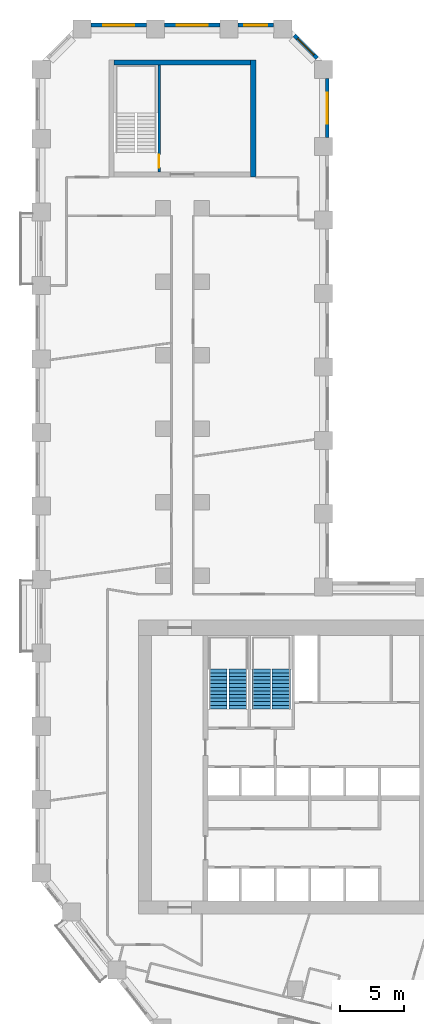
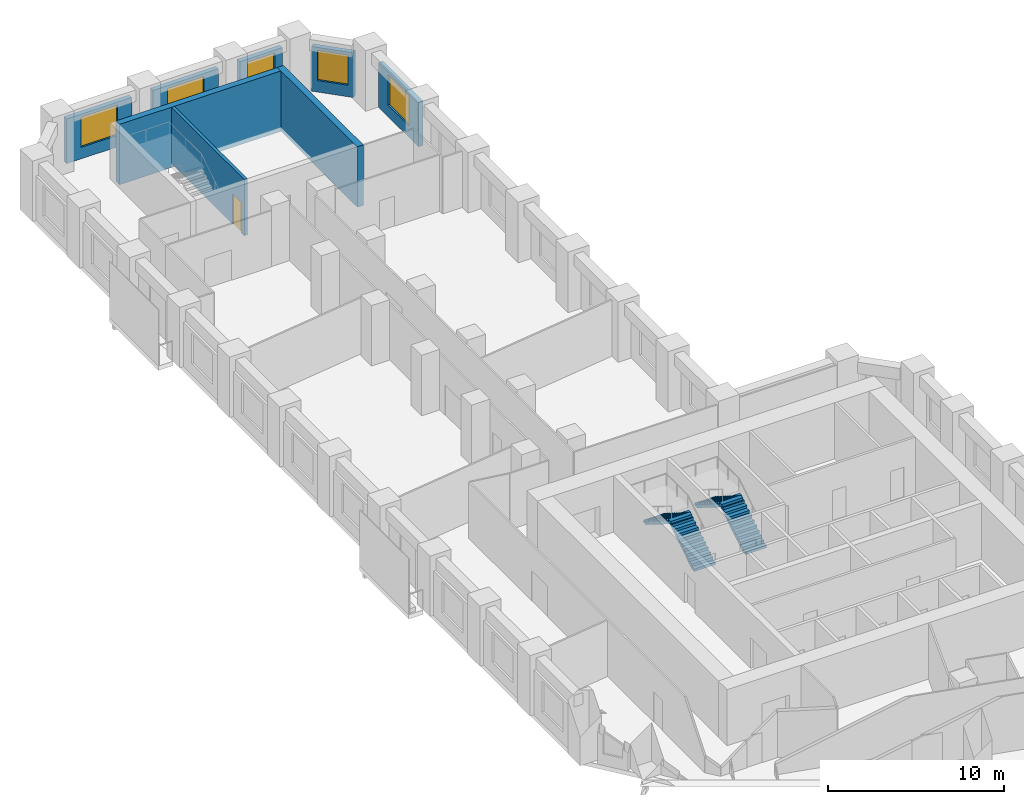
# One storey, part 10 of 12: 8 walls, 5 windows, 4 stair flights, 1 door, 6 openings, 2 elements without a shape of their own.
"""IFC4 building model written with IfcOpenShell, lengths in metres."""

import ifcopenshell
import ifcopenshell.guid

model = None  # the IFC model being written
_history = None  # IfcOwnerHistory: only IFC2X3 demands one
_inside = {}  # id of a spatial element -> (the spatial element, [elements in it])
_under = {}  # id of a project, library or spatial element -> (it, [spatial elements below it])
_declared = {}  # id of a project -> (the project, [libraries it declares])
_typed = {}  # id of a type object -> (the type object, [elements of that type])
_made_of = {}  # id of a material, layer set ... -> (it, [elements and type objects made of it])


def new_model(schema):
    """Start an empty IFC model of exactly this schema.

    Asked for "IFC4X3", IfcOpenShell would pick the latest addendum, in which some entities
    have other attributes; the version numbers below select the first issue.
    IFC2X3 requires an IfcOwnerHistory on every rooted entity: one is made here for all.
    """
    global model, _history
    if schema == "IFC4X3":
        model = ifcopenshell.file(schema_version=(4, 3, 0, 0))
    else:
        model = ifcopenshell.file(schema=schema)
    _inside.clear()
    _under.clear()
    _declared.clear()
    _typed.clear()
    _made_of.clear()
    _history = None
    if model.schema == "IFC2X3":
        org = make("IfcOrganization", Name="unknown")
        user = make(
            "IfcPersonAndOrganization",
            ThePerson=make("IfcPerson", FamilyName="unknown"),
            TheOrganization=org,
        )
        app = make(
            "IfcApplication",
            ApplicationDeveloper=org,
            Version="unknown",
            ApplicationFullName="unknown",
            ApplicationIdentifier="unknown",
        )
        _history = make(
            "IfcOwnerHistory",
            OwningUser=user,
            OwningApplication=app,
            ChangeAction="ADDED",
            CreationDate=0,
        )
    return model


def make(cls, **values):
    """One entity of the class cls with the attributes given. An attribute that is None is left unset."""
    return model.create_entity(
        cls, **{name: value for name, value in values.items() if value is not None}
    )


def rooted(cls, **values):
    """An entity with a GlobalId (a new one), such as an element, a storey or a relation."""
    return make(cls, GlobalId=ifcopenshell.guid.new(), OwnerHistory=_history, **values)


def si_unit(unit_type, name, prefix=None):
    """IfcSIUnit, for example si_unit("LENGTHUNIT", "METRE", prefix="MILLI")."""
    return make("IfcSIUnit", UnitType=unit_type, Prefix=prefix, Name=name)


def assignment(units):
    """IfcUnitAssignment: the units of a project."""
    return None if units is None else make("IfcUnitAssignment", Units=units)


def point(xyz):
    """IfcCartesianPoint."""
    return None if xyz is None else make("IfcCartesianPoint", Coordinates=xyz)


def direction(xyz):
    """IfcDirection."""
    return None if xyz is None else make("IfcDirection", DirectionRatios=xyz)


def frame(location, z_axis=None, x_axis=None):
    """IfcAxis2Placement3D, a coordinate frame: its origin and axes. An axis left out is left unset."""
    return make(
        "IfcAxis2Placement3D",
        Location=point(location),
        Axis=direction(z_axis),
        RefDirection=direction(x_axis),
    )


def frame_2d(location, x_axis=None):
    """IfcAxis2Placement2D, a coordinate frame in the plane: its origin and x axis."""
    return make(
        "IfcAxis2Placement2D", Location=point(location), RefDirection=direction(x_axis)
    )


def origin():
    """The frame at (0, 0, 0) with its axes left unset."""
    return frame((0.0, 0.0, 0.0))


def place(relative_to, where):
    """IfcLocalPlacement: puts the frame where relative to a parent placement (None: the world)."""
    return make(
        "IfcLocalPlacement", PlacementRelTo=relative_to, RelativePlacement=where
    )


def context(
    kind, dimensions, precision=None, world=None, true_north=None, identifier=None
):
    """IfcGeometricRepresentationContext, for example the 3D "Model" context."""
    return make(
        "IfcGeometricRepresentationContext",
        ContextIdentifier=identifier,
        ContextType=kind,
        CoordinateSpaceDimension=dimensions,
        Precision=precision,
        WorldCoordinateSystem=world,
        TrueNorth=true_north,
    )


def subcontext(parent, identifier, kind, view, scale=None):
    """IfcGeometricRepresentationSubContext, for example "Body" below "Model"."""
    return make(
        "IfcGeometricRepresentationSubContext",
        ContextIdentifier=identifier,
        ContextType=kind,
        ParentContext=parent,
        TargetScale=scale,
        TargetView=view,
    )


def project(units=None, contexts=None):
    """IfcProject with its units and contexts."""
    return rooted(
        "IfcProject",
        Name="project",
        RepresentationContexts=contexts,
        UnitsInContext=assignment(units),
    )


def spatial(cls, under=None, at=None, **own):
    """A site, building, storey or space (cls), placed at a placement, below another one or the project."""
    s = rooted(cls, ObjectPlacement=at, **own)
    if under is not None:
        _under.setdefault(under.id(), (under, []))[1].append(s)
    return s


def polyline(points):
    """IfcPolyline through the points."""
    return make("IfcPolyline", Points=[point(p) for p in points])


def profile(cls, at=None, kind="AREA", **sizes):
    """A parametric profile (cls). Its sizes go by their IFC names, for example OverallWidth=200.0."""
    return make(cls, ProfileType=kind, Position=at, **sizes)


def rectangle(**sizes):
    """IfcRectangleProfileDef."""
    return profile("IfcRectangleProfileDef", **sizes)


def outline(outer, holes=None, kind="AREA"):
    """IfcArbitraryClosedProfileDef: a profile drawn as a closed curve; with holes, ...WithVoids."""
    if holes is None:
        return make("IfcArbitraryClosedProfileDef", ProfileType=kind, OuterCurve=outer)
    return make(
        "IfcArbitraryProfileDefWithVoids",
        ProfileType=kind,
        OuterCurve=outer,
        InnerCurves=holes,
    )


def extrude(swept, where, along, depth):
    """IfcExtrudedAreaSolid: the profile swept, set in the frame where, extruded along a direction by depth."""
    return make(
        "IfcExtrudedAreaSolid",
        SweptArea=swept,
        Position=where,
        ExtrudedDirection=direction(along),
        Depth=depth,
    )


def shape(context_of_items, identifier, shape_type, items):
    """IfcShapeRepresentation: the items that make up one representation, for example the "Body"."""
    return make(
        "IfcShapeRepresentation",
        ContextOfItems=context_of_items,
        RepresentationIdentifier=identifier,
        RepresentationType=shape_type,
        Items=items,
    )


def material(Name=None, Category=None):
    """IfcMaterial."""
    return make("IfcMaterial", Name=Name, Category=Category)


def layer(
    of_material, thickness, ventilated=None, Name=None, Category=None, Priority=None
):
    """IfcMaterialLayer: one layer of a wall or slab, of a material (None: an air gap)."""
    return make(
        "IfcMaterialLayer",
        Material=of_material,
        LayerThickness=thickness,
        IsVentilated=ventilated,
        Name=Name,
        Category=Category,
        Priority=Priority,
    )


def layer_set(layers, Name=None):
    """IfcMaterialLayerSet."""
    return make("IfcMaterialLayerSet", MaterialLayers=layers, LayerSetName=Name)


def made_of(thing, what):
    """Note that an element or type object is made of a material, layer set ...; save() writes the relation."""
    if what is not None:
        _made_of.setdefault(what.id(), (what, []))[1].append(thing)
    return thing


def type_object(cls, material=None, **own):
    """A type object (cls), such as IfcWallType, which elements share."""
    return made_of(rooted(cls, **own), material)


def element(
    cls,
    number,
    at=None,
    inside=None,
    cuts=None,
    type_object=None,
    material=None,
    context=None,
    identifier="Body",
    shape_type=None,
    held_by="IfcProductDefinitionShape",
    body=None,
    shapes=None,
    **own,
):
    """One element of the class cls, such as IfcWall. Its Tag is "e" and its number.

    at: its placement. inside: the storey or other place that contains it. cuts: it is an
    opening in that element (IfcRelVoidsElement). A single representation is given by context,
    identifier, shape_type and body (its items); several are given by shapes. held_by: the class
    of the entity that holds the representations. save() writes the other relations.
    """
    e = rooted(cls, Tag="e%d" % number, ObjectPlacement=at, **own)
    if body is not None:
        shapes = [shape(context, identifier, shape_type, body)]
    if shapes is not None:
        e.Representation = make(held_by, Representations=shapes)
    if inside is not None:
        _inside.setdefault(inside.id(), (inside, []))[1].append(e)
    if cuts is not None:
        rooted(
            "IfcRelVoidsElement", RelatingBuildingElement=cuts, RelatedOpeningElement=e
        )
    if type_object is not None:
        _typed.setdefault(type_object.id(), (type_object, []))[1].append(e)
    return made_of(e, material)


def fill(opening, filler):
    """IfcRelFillsElement: the door or window that sits in an opening."""
    return rooted(
        "IfcRelFillsElement",
        RelatingOpeningElement=opening,
        RelatedBuildingElement=filler,
    )


def aggregate(whole, parts):
    """IfcRelAggregates: a whole, such as a stair, and the parts it consists of."""
    return rooted("IfcRelAggregates", RelatingObject=whole, RelatedObjects=parts)


def save(model, path):
    """Write the relations noted so far, then the file.

    IfcRelAggregates (storeys below a building ...), IfcRelContainedInSpatialStructure (elements
    in a storey), IfcRelDefinesByType, IfcRelAssociatesMaterial and IfcRelDeclares: one each for
    every whole, place, type object, material and project.
    """
    for whole, parts in _under.values():
        aggregate(whole, parts)
    for where, things in _inside.values():
        rooted(
            "IfcRelContainedInSpatialStructure",
            RelatedElements=things,
            RelatingStructure=where,
        )
    for kind, things in _typed.values():
        rooted("IfcRelDefinesByType", RelatedObjects=things, RelatingType=kind)
    for what, things in _made_of.values():
        rooted("IfcRelAssociatesMaterial", RelatedObjects=things, RelatingMaterial=what)
    for by, libraries in _declared.values():
        rooted("IfcRelDeclares", RelatingContext=by, RelatedDefinitions=libraries)
    model.write(path)


model = new_model("IFC4")

# Units and contexts
model_context = context("Model", 3, precision=1e-05, world=origin(), true_north=direction((0.0, 1.0)))
body_context = subcontext(model_context, "Body", "Model", "MODEL_VIEW")
ifc_project = project(units=[si_unit("LENGTHUNIT", "METRE"), si_unit("AREAUNIT", "SQUARE_METRE"), si_unit("VOLUMEUNIT", "CUBIC_METRE"), si_unit("PLANEANGLEUNIT", "RADIAN"), si_unit("MASSUNIT", "GRAM", prefix="KILO")], contexts=[model_context])

# Site, building, storey
site_placement = place(None, origin())
site = spatial("IfcSite", under=ifc_project, at=site_placement, CompositionType="ELEMENT")
building_placement = place(site_placement, origin())
building = spatial("IfcBuilding", under=site, at=building_placement, Name="Meshkara Civic Tower", CompositionType="ELEMENT")
storey_placement = place(building_placement, frame((0.0, 0.0, 62.39990234375)))
storey = spatial("IfcBuildingStorey", under=building, at=storey_placement, Name="L13", CompositionType="ELEMENT", Elevation=62.39990234375)

# Wall, opening, window
ifc_material_1 = material(Name="Insulated infill panel with bronze anodised aluminium cladding", Category="aluminium")
ifc_layer_1 = layer(ifc_material_1, 0.300048828125)
ifc_layer_set_1 = layer_set([ifc_layer_1], Name="EXTERNAL INFILL WALL 300")
wall_type_1 = type_object("IfcWallType", Name="EXTERNAL INFILL WALL 300", PredefinedType="SOLIDWALL", material=ifc_layer_set_1)
wall_1_placement = place(storey_placement, frame((22.64990234375, 74.35009765625, 0.0), z_axis=(0.0, 0.0, 1.0), x_axis=(0.0, 1.0, 0.0)))
wall_1 = element("IfcWall", 1, at=wall_1_placement, inside=storey, type_object=wall_type_1, Name="External wall", PredefinedType="SOLIDWALL", context=body_context, shape_type="SweptSolid", body=[
    extrude(rectangle(XDim=4.56396484375, YDim=0.300048828125, at=frame_2d((2.281982421875, 0.0))), origin(), (0.0, 0.0, 1.0), 3.10009765625),
])
opening_1_placement = place(wall_1_placement, frame((1.08203125, 0.0, 0.800048828125)))
opening_1 = element("IfcOpeningElement", 2, at=opening_1_placement, cuts=wall_1, Name="Opening W7", PredefinedType="OPENING", context=body_context, shape_type="SweptSolid", body=[
    extrude(rectangle(XDim=2.39990234375, YDim=2.10009765625, at=frame_2d((1.199951171875, 1.050048828125))), frame((0.0, 0.159912109375, 0.0), z_axis=(0.0, -1.0, 0.0), x_axis=(1.0, 0.0, 0.0)), (0.0, 0.0, 1.0), 0.320068359375),
])
ifc_material_2 = material(Name="Tinted double glazing", Category="glass")
window_type_1 = type_object("IfcWindowType", Name="WINDOW 2400x2100", PartitioningType="DOUBLE_PANEL_VERTICAL", PredefinedType="WINDOW", material=ifc_material_2)
window_1_placement = place(opening_1_placement, origin())
window_1 = element("IfcWindow", 3, at=window_1_placement, inside=storey, type_object=window_type_1, Name="Window", OverallHeight=2.10009765625, OverallWidth=2.39990234375, PartitioningType="DOUBLE_PANEL_VERTICAL", PredefinedType="WINDOW", context=body_context, shape_type="SweptSolid", body=[
    extrude(rectangle(XDim=2.39990234375, YDim=2.10009765625, at=frame_2d((1.199951171875, 1.050048828125))), frame((0.0, 0.030029296875, 0.0), z_axis=(0.0, -1.0, 0.0), x_axis=(1.0, 0.0, 0.0)), (0.0, 0.0, 1.0), 0.06005859375),
])
fill(opening_1, window_1)

wall_2_placement = place(storey_placement, frame((21.862060546875, 80.52587890625, 0.0), z_axis=(0.0, 0.0, 1.0), x_axis=(-0.707106781187, 0.707106781187, 0.0)))
wall_2 = element("IfcWall", 4, at=wall_2_placement, inside=storey, type_object=wall_type_1, Name="External wall", PredefinedType="SOLIDWALL", context=body_context, shape_type="SweptSolid", body=[
    extrude(rectangle(XDim=2.4833984375, YDim=0.300048828125, at=frame_2d((1.24169921875, 0.0))), origin(), (0.0, 0.0, 1.0), 3.10009765625),
])
opening_2_placement = place(wall_2_placement, frame((0.342041015625, 0.0, 0.800048828125)))
opening_2 = element("IfcOpeningElement", 5, at=opening_2_placement, cuts=wall_2, Name="Opening W9", PredefinedType="OPENING", context=body_context, shape_type="SweptSolid", body=[
    extrude(rectangle(XDim=1.800048828125, YDim=2.10009765625, at=frame_2d((0.89990234375, 1.050048828125))), frame((0.0, 0.159912109375, 0.0), z_axis=(0.0, -1.0, 0.0), x_axis=(1.0, 0.0, 0.0)), (0.0, 0.0, 1.0), 0.320068359375),
])
ifc_material_3 = material(Name="Tinted double glazing", Category="glass")
window_type_2 = type_object("IfcWindowType", Name="WINDOW 1800x2100", PartitioningType="DOUBLE_PANEL_VERTICAL", PredefinedType="WINDOW", material=ifc_material_3)
window_2_placement = place(opening_2_placement, origin())
window_2 = element("IfcWindow", 6, at=window_2_placement, inside=storey, type_object=window_type_2, Name="Window", OverallHeight=2.10009765625, OverallWidth=1.800048828125, PartitioningType="DOUBLE_PANEL_VERTICAL", PredefinedType="WINDOW", context=body_context, shape_type="SweptSolid", body=[
    extrude(rectangle(XDim=1.800048828125, YDim=2.10009765625, at=frame_2d((0.89990234375, 1.050048828125))), frame((0.0, 0.030029296875, 0.0), z_axis=(0.0, -1.0, 0.0), x_axis=(1.0, 0.0, 0.0)), (0.0, 0.0, 1.0), 0.06005859375),
])
fill(opening_2, window_2)

wall_3_placement = place(storey_placement, frame((18.493896484375, 83.070068359375, 0.0), z_axis=(0.0, 0.0, 1.0), x_axis=(-1.0, 0.0, 0.0)))
wall_3 = element("IfcWall", 7, at=wall_3_placement, inside=storey, type_object=wall_type_1, Name="External wall", PredefinedType="SOLIDWALL", context=body_context, shape_type="SweptSolid", body=[
    extrude(rectangle(XDim=2.787841796875, YDim=0.300048828125, at=frame_2d((1.39404296875, 0.0))), origin(), (0.0, 0.0, 1.0), 3.10009765625),
])
opening_3_placement = place(wall_3_placement, frame((0.493896484375, 0.0, 0.800048828125)))
opening_3 = element("IfcOpeningElement", 8, at=opening_3_placement, cuts=wall_3, Name="Opening W9", PredefinedType="OPENING", context=body_context, shape_type="SweptSolid", body=[
    extrude(rectangle(XDim=1.800048828125, YDim=2.10009765625, at=frame_2d((0.89990234375, 1.050048828125))), frame((0.0, 0.159912109375, 0.0), z_axis=(0.0, -1.0, 0.0), x_axis=(1.0, 0.0, 0.0)), (0.0, 0.0, 1.0), 0.320068359375),
])
window_3_placement = place(opening_3_placement, origin())
window_3 = element("IfcWindow", 9, at=window_3_placement, inside=storey, type_object=window_type_2, Name="Window", OverallHeight=2.10009765625, OverallWidth=1.800048828125, PartitioningType="DOUBLE_PANEL_VERTICAL", PredefinedType="WINDOW", context=body_context, shape_type="SweptSolid", body=[
    extrude(rectangle(XDim=1.800048828125, YDim=2.10009765625, at=frame_2d((0.89990234375, 1.050048828125))), frame((0.0, 0.030029296875, 0.0), z_axis=(0.0, -1.0, 0.0), x_axis=(1.0, 0.0, 0.0)), (0.0, 0.0, 1.0), 0.06005859375),
])
fill(opening_3, window_3)

wall_4_placement = place(storey_placement, frame((14.305908203125, 83.070068359375, 0.0), z_axis=(0.0, 0.0, 1.0), x_axis=(-1.0, 0.0, 0.0)))
wall_4 = element("IfcWall", 10, at=wall_4_placement, inside=storey, type_object=wall_type_1, Name="External wall", PredefinedType="SOLIDWALL", context=body_context, shape_type="SweptSolid", body=[
    extrude(rectangle(XDim=4.2998046875, YDim=0.300048828125, at=frame_2d((2.14990234375, 0.0))), origin(), (0.0, 0.0, 1.0), 3.10009765625),
])
opening_4_placement = place(wall_4_placement, frame((0.949951171875, 0.0, 0.800048828125)))
opening_4 = element("IfcOpeningElement", 11, at=opening_4_placement, cuts=wall_4, Name="Opening W7", PredefinedType="OPENING", context=body_context, shape_type="SweptSolid", body=[
    extrude(rectangle(XDim=2.39990234375, YDim=2.10009765625, at=frame_2d((1.199951171875, 1.050048828125))), frame((0.0, 0.159912109375, 0.0), z_axis=(0.0, -1.0, 0.0), x_axis=(1.0, 0.0, 0.0)), (0.0, 0.0, 1.0), 0.320068359375),
])
window_4_placement = place(opening_4_placement, origin())
window_4 = element("IfcWindow", 12, at=window_4_placement, inside=storey, type_object=window_type_1, Name="Window", OverallHeight=2.10009765625, OverallWidth=2.39990234375, PartitioningType="DOUBLE_PANEL_VERTICAL", PredefinedType="WINDOW", context=body_context, shape_type="SweptSolid", body=[
    extrude(rectangle(XDim=2.39990234375, YDim=2.10009765625, at=frame_2d((1.199951171875, 1.050048828125))), frame((0.0, 0.030029296875, 0.0), z_axis=(0.0, -1.0, 0.0), x_axis=(1.0, 0.0, 0.0)), (0.0, 0.0, 1.0), 0.06005859375),
])
fill(opening_4, window_4)

wall_5_placement = place(storey_placement, frame((8.60595703125, 83.070068359375, 0.0), z_axis=(0.0, 0.0, 1.0), x_axis=(-1.0, 0.0, 0.0)))
wall_5 = element("IfcWall", 13, at=wall_5_placement, inside=storey, type_object=wall_type_1, Name="External wall", PredefinedType="SOLIDWALL", context=body_context, shape_type="SweptSolid", body=[
    extrude(rectangle(XDim=4.300048828125, YDim=0.300048828125, at=frame_2d((2.14990234375, 0.0))), origin(), (0.0, 0.0, 1.0), 3.10009765625),
])
opening_5_placement = place(wall_5_placement, frame((0.949951171875, 0.0, 0.800048828125)))
opening_5 = element("IfcOpeningElement", 14, at=opening_5_placement, cuts=wall_5, Name="Opening W7", PredefinedType="OPENING", context=body_context, shape_type="SweptSolid", body=[
    extrude(rectangle(XDim=2.39990234375, YDim=2.10009765625, at=frame_2d((1.199951171875, 1.050048828125))), frame((0.0, 0.159912109375, 0.0), z_axis=(0.0, -1.0, 0.0), x_axis=(1.0, 0.0, 0.0)), (0.0, 0.0, 1.0), 0.320068359375),
])
window_5_placement = place(opening_5_placement, origin())
window_5 = element("IfcWindow", 15, at=window_5_placement, inside=storey, type_object=window_type_1, Name="Window", OverallHeight=2.10009765625, OverallWidth=2.39990234375, PartitioningType="DOUBLE_PANEL_VERTICAL", PredefinedType="WINDOW", context=body_context, shape_type="SweptSolid", body=[
    extrude(rectangle(XDim=2.39990234375, YDim=2.10009765625, at=frame_2d((1.199951171875, 1.050048828125))), frame((0.0, 0.030029296875, 0.0), z_axis=(0.0, -1.0, 0.0), x_axis=(1.0, 0.0, 0.0)), (0.0, 0.0, 1.0), 0.06005859375),
])
fill(opening_5, window_5)

# Walls
ifc_material_4 = material(Name="Concrete C80", Category="concrete")
ifc_layer_2 = layer(ifc_material_4, 0.39990234375)
ifc_layer_set_2 = layer_set([ifc_layer_2], Name="End core ring wall 400 C80")
wall_type_2 = type_object("IfcWallType", Name="End core ring wall 400 C80", PredefinedType="SHEAR", material=ifc_layer_set_2)
wall_6_placement = place(storey_placement, frame((16.89990234375, 71.27001953125, -0.2998046875), z_axis=(0.0, 0.0, 1.0), x_axis=(0.0, 1.0, 0.0)))
element("IfcWall", 16, at=wall_6_placement, inside=storey, type_object=wall_type_2, Name="L13-C027", PredefinedType="SHEAR", context=body_context, shape_type="SweptSolid", body=[
    extrude(rectangle(XDim=9.10009765625, YDim=0.39990234375, at=frame_2d((4.550048828125, 0.0))), origin(), (0.0, 0.0, 1.0), 4.199951171875),
])
wall_7_placement = place(storey_placement, frame((6.10009765625, 80.169921875, -0.2998046875), z_axis=(0.0, 0.0, 1.0), x_axis=(1.0, 0.0, 0.0)))
element("IfcWall", 17, at=wall_7_placement, inside=storey, type_object=wall_type_2, Name="L13-C029", PredefinedType="SHEAR", context=body_context, shape_type="SweptSolid", body=[
    extrude(rectangle(XDim=10.599853515625, YDim=0.39990234375, at=frame_2d((5.2998046875, 0.0))), origin(), (0.0, 0.0, 1.0), 4.199951171875),
])

# Wall, opening, door
ifc_material_5 = material(Name="Concrete C40/50", Category="concrete")
ifc_layer_3 = layer(ifc_material_5, 0.199951171875)
ifc_layer_set_3 = layer_set([ifc_layer_3], Name="Stair enclosure wall 200 C40/50")
wall_type_3 = type_object("IfcWallType", Name="Stair enclosure wall 200 C40/50", PredefinedType="SOLIDWALL", material=ifc_layer_set_3)
wall_8_placement = place(storey_placement, frame((9.60009765625, 71.669921875, 0.0), z_axis=(0.0, 0.0, 1.0), x_axis=(0.0, 1.0, 0.0)))
wall_8 = element("IfcWall", 18, at=wall_8_placement, inside=storey, type_object=wall_type_3, Name="L13-C030", PredefinedType="SOLIDWALL", context=body_context, shape_type="SweptSolid", body=[
    extrude(rectangle(XDim=8.300048828125, YDim=0.199951171875, at=frame_2d((4.14990234375, 0.0))), origin(), (0.0, 0.0, 1.0), 3.900146484375),
])
opening_6_placement = place(wall_8_placement, frame((0.35009765625, 0.0, 0.0)))
opening_6 = element("IfcOpeningElement", 19, at=opening_6_placement, cuts=wall_8, Name="Opening L13-K101", PredefinedType="OPENING", context=body_context, shape_type="SweptSolid", body=[
    extrude(rectangle(XDim=1.0, YDim=2.10009765625, at=frame_2d((0.5, 1.050048828125))), frame((0.0, 0.10986328125, 0.0), z_axis=(0.0, -1.0, 0.0), x_axis=(1.0, 0.0, 0.0)), (0.0, 0.0, 1.0), 0.219970703125),
])
ifc_material_6 = material(Name="Fire-rated door leaf in steel frame", Category="steel")
door_type = type_object("IfcDoorType", Name="Stair door 1000 EI 120", OperationType="SINGLE_SWING_LEFT", PredefinedType="DOOR", material=ifc_material_6)
door_placement = place(opening_6_placement, origin())
door = element("IfcDoor", 20, at=door_placement, inside=storey, type_object=door_type, Name="L13-K101", OperationType="SINGLE_SWING_RIGHT", OverallHeight=2.10009765625, OverallWidth=1.0, PredefinedType="DOOR", context=body_context, shape_type="SweptSolid", body=[
    extrude(rectangle(XDim=1.0, YDim=2.10009765625, at=frame_2d((0.5, 1.050048828125))), frame((0.0, 0.02490234375, 0.0), z_axis=(0.0, -1.0, 0.0), x_axis=(1.0, 0.0, 0.0)), (0.0, 0.0, 1.0), 0.050048828125),
])
fill(opening_6, door)

# Stair, stair flights
ifc_material_7 = material(Name="Precast concrete C40/50", Category="concrete")
stair_type = type_object("IfcStairType", Name="Exit stair half-turn 24 risers precast", PredefinedType="HALF_TURN_STAIR", material=ifc_material_7)
stair_1_placement = place(storey_placement, origin())
stair_1 = element("IfcStair", 21, at=stair_1_placement, inside=storey, type_object=stair_type, Name="L13 exit stair 1", PredefinedType="HALF_TURN_STAIR")
ifc_material_8 = material(Name="Precast concrete C40/50", Category="concrete")
stair_flight_type = type_object("IfcStairFlightType", Name="Exit stair flight 12 risers precast", PredefinedType="STRAIGHT", material=ifc_material_8)
stair_flight_1_placement = place(storey_placement, frame((15.72509765625, 30.0, 0.0), z_axis=(0.0, 0.0, 1.0), x_axis=(0.0, 1.0, 0.0)))
stair_flight_1 = element("IfcStairFlight", 22, at=stair_flight_1_placement, type_object=stair_flight_type, Name="ST1 flight 1", NumberOfRisers=12, NumberOfTreads=11, PredefinedType="STRAIGHT", RiserHeight=0.175, TreadLength=0.28, context=body_context, shape_type="SweptSolid", body=[
    extrude(outline(polyline([(0.0, 0.0), (0.0, 0.175048828125), (0.280029296875, 0.175048828125), (0.280029296875, 0.35009765625), (0.56005859375, 0.35009765625), (0.56005859375, 0.52490234375), (0.840087890625, 0.52490234375), (0.840087890625, 0.699951171875), (1.1201171875, 0.699951171875), (1.1201171875, 0.875), (1.39990234375, 0.875), (1.39990234375, 1.050048828125), (1.679931640625, 1.050048828125), (1.679931640625, 1.22509765625), (1.9599609375, 1.22509765625), (1.9599609375, 1.39990234375), (2.239990234375, 1.39990234375), (2.239990234375, 1.574951171875), (2.52001953125, 1.574951171875), (2.52001953125, 1.75), (2.800048828125, 1.75), (2.800048828125, 1.925048828125), (3.080078125, 1.925048828125), (3.080078125, 2.10009765625), (3.080078125, 1.748291015625), (0.28271484375, 0.0), (0.0, 0.0)])), frame((0.0, 0.699951171875, 0.0), z_axis=(0.0, -1.0, 0.0), x_axis=(1.0, 0.0, 0.0)), (0.0, 0.0, 1.0), 1.39990234375),
])
stair_flight_2_placement = place(storey_placement, frame((14.175048828125, 33.080078125, 2.10009765625), z_axis=(0.0, 0.0, 1.0), x_axis=(0.0, -1.0, 0.0)))
stair_flight_2 = element("IfcStairFlight", 23, at=stair_flight_2_placement, type_object=stair_flight_type, Name="ST1 flight 2", NumberOfRisers=12, NumberOfTreads=11, PredefinedType="STRAIGHT", RiserHeight=0.175, TreadLength=0.28, context=body_context, shape_type="SweptSolid", body=[
    extrude(outline(polyline([(0.0, 0.0), (0.0, 0.175048828125), (0.280029296875, 0.175048828125), (0.280029296875, 0.35009765625), (0.56005859375, 0.35009765625), (0.56005859375, 0.52490234375), (0.840087890625, 0.52490234375), (0.840087890625, 0.699951171875), (1.1201171875, 0.699951171875), (1.1201171875, 0.875), (1.39990234375, 0.875), (1.39990234375, 1.050048828125), (1.679931640625, 1.050048828125), (1.679931640625, 1.22509765625), (1.9599609375, 1.22509765625), (1.9599609375, 1.39990234375), (2.239990234375, 1.39990234375), (2.239990234375, 1.574951171875), (2.52001953125, 1.574951171875), (2.52001953125, 1.75), (2.800048828125, 1.75), (2.800048828125, 1.925048828125), (3.080078125, 1.925048828125), (3.080078125, 2.10009765625), (3.080078125, 1.748291015625), (0.28271484375, 0.0), (0.0, 0.0)])), frame((0.0, 0.699951171875, 0.0), z_axis=(0.0, -1.0, 0.0), x_axis=(1.0, 0.0, 0.0)), (0.0, 0.0, 1.0), 1.39990234375),
])
aggregate(stair_1, [stair_flight_1, stair_flight_2])

stair_2_placement = place(storey_placement, origin())
stair_2 = element("IfcStair", 24, at=stair_2_placement, inside=storey, type_object=stair_type, Name="L13 exit stair 2", PredefinedType="HALF_TURN_STAIR")
stair_flight_3_placement = place(storey_placement, frame((19.074951171875, 30.0, 0.0), z_axis=(0.0, 0.0, 1.0), x_axis=(0.0, 1.0, 0.0)))
stair_flight_3 = element("IfcStairFlight", 25, at=stair_flight_3_placement, type_object=stair_flight_type, Name="ST2 flight 1", NumberOfRisers=12, NumberOfTreads=11, PredefinedType="STRAIGHT", RiserHeight=0.175, TreadLength=0.28, context=body_context, shape_type="SweptSolid", body=[
    extrude(outline(polyline([(0.0, 0.0), (0.0, 0.175048828125), (0.280029296875, 0.175048828125), (0.280029296875, 0.35009765625), (0.56005859375, 0.35009765625), (0.56005859375, 0.52490234375), (0.840087890625, 0.52490234375), (0.840087890625, 0.699951171875), (1.1201171875, 0.699951171875), (1.1201171875, 0.875), (1.39990234375, 0.875), (1.39990234375, 1.050048828125), (1.679931640625, 1.050048828125), (1.679931640625, 1.22509765625), (1.9599609375, 1.22509765625), (1.9599609375, 1.39990234375), (2.239990234375, 1.39990234375), (2.239990234375, 1.574951171875), (2.52001953125, 1.574951171875), (2.52001953125, 1.75), (2.800048828125, 1.75), (2.800048828125, 1.925048828125), (3.080078125, 1.925048828125), (3.080078125, 2.10009765625), (3.080078125, 1.748291015625), (0.28271484375, 0.0), (0.0, 0.0)])), frame((0.0, 0.699951171875, 0.0), z_axis=(0.0, -1.0, 0.0), x_axis=(1.0, 0.0, 0.0)), (0.0, 0.0, 1.0), 1.39990234375),
])
stair_flight_4_placement = place(storey_placement, frame((17.52490234375, 33.080078125, 2.10009765625), z_axis=(0.0, 0.0, 1.0), x_axis=(0.0, -1.0, 0.0)))
stair_flight_4 = element("IfcStairFlight", 26, at=stair_flight_4_placement, type_object=stair_flight_type, Name="ST2 flight 2", NumberOfRisers=12, NumberOfTreads=11, PredefinedType="STRAIGHT", RiserHeight=0.175, TreadLength=0.28, context=body_context, shape_type="SweptSolid", body=[
    extrude(outline(polyline([(0.0, 0.0), (0.0, 0.175048828125), (0.280029296875, 0.175048828125), (0.280029296875, 0.35009765625), (0.56005859375, 0.35009765625), (0.56005859375, 0.52490234375), (0.840087890625, 0.52490234375), (0.840087890625, 0.699951171875), (1.1201171875, 0.699951171875), (1.1201171875, 0.875), (1.39990234375, 0.875), (1.39990234375, 1.050048828125), (1.679931640625, 1.050048828125), (1.679931640625, 1.22509765625), (1.9599609375, 1.22509765625), (1.9599609375, 1.39990234375), (2.239990234375, 1.39990234375), (2.239990234375, 1.574951171875), (2.52001953125, 1.574951171875), (2.52001953125, 1.75), (2.800048828125, 1.75), (2.800048828125, 1.925048828125), (3.080078125, 1.925048828125), (3.080078125, 2.10009765625), (3.080078125, 1.748291015625), (0.28271484375, 0.0), (0.0, 0.0)])), frame((0.0, 0.699951171875, 0.0), z_axis=(0.0, -1.0, 0.0), x_axis=(1.0, 0.0, 0.0)), (0.0, 0.0, 1.0), 1.39990234375),
])
aggregate(stair_2, [stair_flight_3, stair_flight_4])

save(model, "model.ifc")
